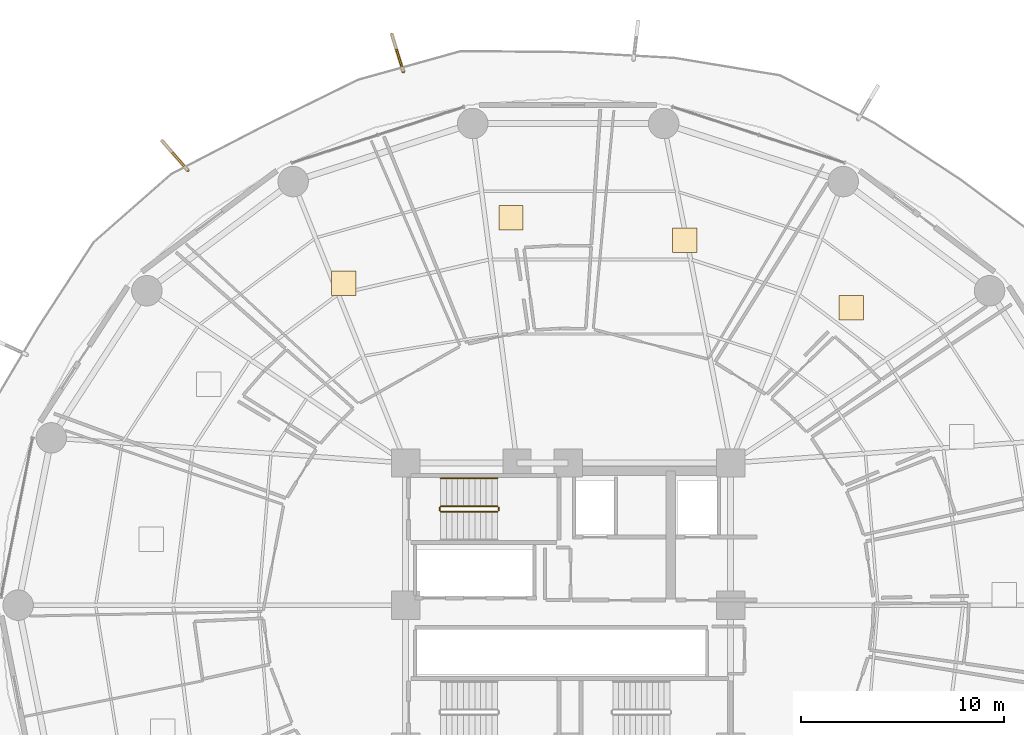
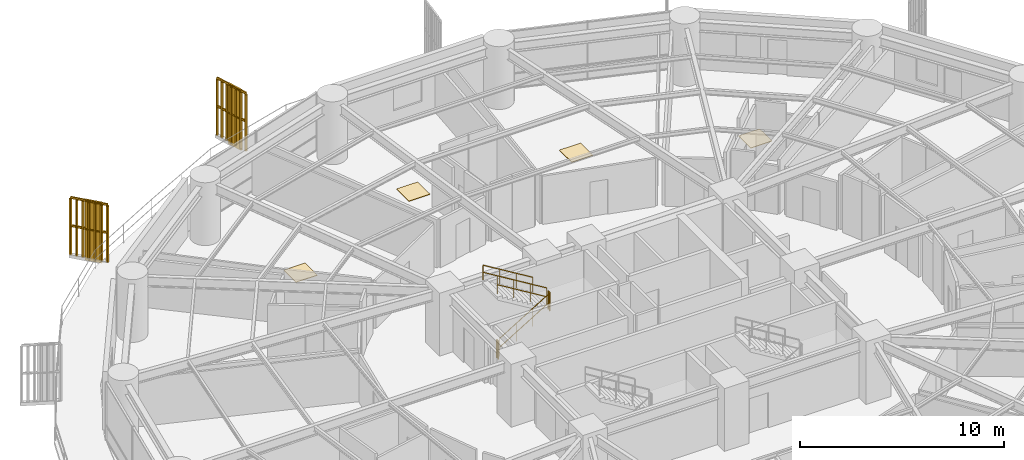
# One storey, part 33 of 34: 7 railings, 4 coverings, 2 shading devices.
"""IFC4 building model written with IfcOpenShell, lengths in metres."""

from ifc_helpers import new_model, si_unit, direction, frame, origin, origin_2d, place, context, subcontext, project, spatial, polyline, rectangle, outline, extrude, source, transform, mapped, material, layer, layer_set, type_object, element, save


model = new_model("IFC4")

# Units and contexts
model_context = context("Model", 3, precision=1e-05, world=origin(), true_north=direction((0.0, 1.0)))
body_context = subcontext(model_context, "Body", "Model", "MODEL_VIEW")
ifc_project = project(units=[si_unit("LENGTHUNIT", "METRE"), si_unit("AREAUNIT", "SQUARE_METRE"), si_unit("VOLUMEUNIT", "CUBIC_METRE"), si_unit("PLANEANGLEUNIT", "RADIAN"), si_unit("MASSUNIT", "GRAM", prefix="KILO")], contexts=[model_context])

# Site, building, storey
site_placement = place(None, origin())
site = spatial("IfcSite", under=ifc_project, at=site_placement, CompositionType="ELEMENT")
building_placement = place(site_placement, origin())
building = spatial("IfcBuilding", under=site, at=building_placement, Name="Kelanora Arch Commons", CompositionType="ELEMENT")
storey_placement = place(building_placement, frame((0.0, 0.0, 33.75)))
storey = spatial("IfcBuildingStorey", under=building, at=storey_placement, Name="L08", CompositionType="ELEMENT", Elevation=33.75)

# Railings
ifc_material_1 = material(Name="Anodised bronze vertical shading fin rib assembly")
railing_type_1 = type_object("IfcRailingType", Name="RAIL-FIN-BRZ", PredefinedType="BALUSTRADE", material=ifc_material_1)
railing_1_placement = place(storey_placement, frame((65.884521484375, 84.259521484375, -0.02001953125)))
element("IfcRailing", 1, at=railing_1_placement, inside=storey, type_object=railing_type_1, Name="Sweeping Bronze Vertical Fin Blade L08-04", PredefinedType="BALUSTRADE", context=body_context, shape_type="SweptSolid", body=[
    extrude(outline(polyline([(0.06982421875, 0.0), (0.034912109375, 0.060546875), (-0.034912109375, 0.060546875), (-0.06982421875, 0.0), (-0.034912109375, -0.060546875), (0.034912109375, -0.060546875), (0.06982421875, 0.0)])), frame((0.0, 0.0, 3.419921875), z_axis=(-0.2953738853, 0.95538173935, 0.0), x_axis=(-0.95538173935, -0.2953738853, 0.0)), (0.0, 0.0, 1.0), 1.91748046875),
    extrude(outline(polyline([(0.06982421875, 0.0), (0.034912109375, 0.060546875), (-0.034912109375, 0.060546875), (-0.06982421875, 0.0), (-0.034912109375, -0.060546875), (0.034912109375, -0.060546875), (0.06982421875, 0.0)])), frame((0.0, 0.0, 1.7451171875), z_axis=(-0.2953738853, 0.95538173935, 0.0), x_axis=(-0.95538173935, -0.2953738853, 0.0)), (0.0, 0.0, 1.0), 1.91748046875),
    extrude(outline(polyline([(0.080078125, 0.0), (0.0400390625, 0.0693359375), (-0.0400390625, 0.0693359375), (-0.080078125, 0.0), (-0.0400390625, -0.0693359375), (0.0400390625, -0.0693359375), (0.080078125, 0.0)])), origin(), (0.0, 0.0, 1.0), 3.35009765625),
    extrude(outline(polyline([(0.080078125, 0.0), (0.0400390625, 0.0693359375), (-0.0400390625, 0.0693359375), (-0.080078125, 0.0), (-0.0400390625, -0.0693359375), (0.0400390625, -0.0693359375), (0.080078125, 0.0)])), frame((-0.094482421875, 0.305419921875, 0.0)), (0.0, 0.0, 1.0), 3.35009765625),
    extrude(outline(polyline([(0.080078125, 0.0), (0.0400390625, 0.0693359375), (-0.0400390625, 0.0693359375), (-0.080078125, 0.0), (-0.0400390625, -0.0693359375), (0.0400390625, -0.0693359375), (0.080078125, 0.0)])), frame((-0.188720703125, 0.610595703125, 0.0)), (0.0, 0.0, 1.0), 3.35009765625),
    extrude(outline(polyline([(0.080078125, 0.0), (0.0400390625, 0.0693359375), (-0.0400390625, 0.0693359375), (-0.080078125, 0.0), (-0.0400390625, -0.0693359375), (0.0400390625, -0.0693359375), (0.080078125, 0.0)])), frame((-0.283203125, 0.916015625, 0.0)), (0.0, 0.0, 1.0), 3.35009765625),
    extrude(outline(polyline([(0.080078125, 0.0), (0.0400390625, 0.0693359375), (-0.0400390625, 0.0693359375), (-0.080078125, 0.0), (-0.0400390625, -0.0693359375), (0.0400390625, -0.0693359375), (0.080078125, 0.0)])), frame((-0.377685546875, 1.221435546875, 0.0)), (0.0, 0.0, 1.0), 3.35009765625),
    extrude(outline(polyline([(0.080078125, 0.0), (0.0400390625, 0.0693359375), (-0.0400390625, 0.0693359375), (-0.080078125, 0.0), (-0.0400390625, -0.0693359375), (0.0400390625, -0.0693359375), (0.080078125, 0.0)])), frame((-0.471923828125, 1.526611328125, 0.0)), (0.0, 0.0, 1.0), 3.35009765625),
    extrude(outline(polyline([(0.080078125, 0.0), (0.0400390625, 0.0693359375), (-0.0400390625, 0.0693359375), (-0.080078125, 0.0), (-0.0400390625, -0.0693359375), (0.0400390625, -0.0693359375), (0.080078125, 0.0)])), frame((-0.56640625, 1.83203125, 0.0)), (0.0, 0.0, 1.0), 3.35009765625),
])
railing_2_placement = place(storey_placement, frame((55.274658203125, 79.409423828125, -0.02001953125)))
element("IfcRailing", 2, at=railing_2_placement, inside=storey, type_object=railing_type_1, Name="Sweeping Bronze Vertical Fin Blade L08-05", PredefinedType="BALUSTRADE", context=body_context, shape_type="SweptSolid", body=[
    extrude(outline(polyline([(0.06982421875, 0.0), (0.034912109375, 0.060546875), (-0.034912109375, 0.060546875), (-0.06982421875, 0.0), (-0.034912109375, -0.060546875), (0.034912109375, -0.060546875), (0.06982421875, 0.0)])), frame((0.0, 0.0, 3.419921875), z_axis=(-0.658360377377, 0.752702871989, 0.0), x_axis=(-0.752702871989, -0.658360377377, 0.0)), (0.0, 0.0, 1.0), 1.91748046875),
    extrude(outline(polyline([(0.06982421875, 0.0), (0.034912109375, 0.060546875), (-0.034912109375, 0.060546875), (-0.06982421875, 0.0), (-0.034912109375, -0.060546875), (0.034912109375, -0.060546875), (0.06982421875, 0.0)])), frame((0.0, 0.0, 1.7451171875), z_axis=(-0.658360377377, 0.752702871989, 0.0), x_axis=(-0.752702871989, -0.658360377377, 0.0)), (0.0, 0.0, 1.0), 1.91748046875),
    extrude(outline(polyline([(0.080078125, 0.0), (0.0400390625, 0.0693359375), (-0.0400390625, 0.0693359375), (-0.080078125, 0.0), (-0.0400390625, -0.0693359375), (0.0400390625, -0.0693359375), (0.080078125, 0.0)])), origin(), (0.0, 0.0, 1.0), 3.35009765625),
    extrude(outline(polyline([(0.080078125, 0.0), (0.0400390625, 0.0693359375), (-0.0400390625, 0.0693359375), (-0.080078125, 0.0), (-0.0400390625, -0.0693359375), (0.0400390625, -0.0693359375), (0.080078125, 0.0)])), frame((-0.21044921875, 0.240478515625, 0.0)), (0.0, 0.0, 1.0), 3.35009765625),
    extrude(outline(polyline([(0.080078125, 0.0), (0.0400390625, 0.0693359375), (-0.0400390625, 0.0693359375), (-0.080078125, 0.0), (-0.0400390625, -0.0693359375), (0.0400390625, -0.0693359375), (0.080078125, 0.0)])), frame((-0.4208984375, 0.481201171875, 0.0)), (0.0, 0.0, 1.0), 3.35009765625),
    extrude(outline(polyline([(0.080078125, 0.0), (0.0400390625, 0.0693359375), (-0.0400390625, 0.0693359375), (-0.080078125, 0.0), (-0.0400390625, -0.0693359375), (0.0400390625, -0.0693359375), (0.080078125, 0.0)])), frame((-0.63134765625, 0.7216796875, 0.0)), (0.0, 0.0, 1.0), 3.35009765625),
    extrude(outline(polyline([(0.080078125, 0.0), (0.0400390625, 0.0693359375), (-0.0400390625, 0.0693359375), (-0.080078125, 0.0), (-0.0400390625, -0.0693359375), (0.0400390625, -0.0693359375), (0.080078125, 0.0)])), frame((-0.841552734375, 0.962158203125, 0.0)), (0.0, 0.0, 1.0), 3.35009765625),
    extrude(outline(polyline([(0.080078125, 0.0), (0.0400390625, 0.0693359375), (-0.0400390625, 0.0693359375), (-0.080078125, 0.0), (-0.0400390625, -0.0693359375), (0.0400390625, -0.0693359375), (0.080078125, 0.0)])), frame((-1.052001953125, 1.202880859375, 0.0)), (0.0, 0.0, 1.0), 3.35009765625),
    extrude(outline(polyline([(0.080078125, 0.0), (0.0400390625, 0.0693359375), (-0.0400390625, 0.0693359375), (-0.080078125, 0.0), (-0.0400390625, -0.0693359375), (0.0400390625, -0.0693359375), (0.080078125, 0.0)])), frame((-1.262451171875, 1.443359375, 0.0)), (0.0, 0.0, 1.0), 3.35009765625),
])
ifc_material_2 = material(Name="Painted steel stair well guard", Category="steel")
railing_type_2 = type_object("IfcRailingType", Name="RAIL-STAIR-GRD", PredefinedType="GUARDRAIL", material=ifc_material_2)
railing_3_placement = place(storey_placement, frame((67.719970703125, 62.610107421875, 0.17041015625)))
element("IfcRailing", 3, at=railing_3_placement, inside=storey, type_object=railing_type_2, Name="L08 ST-T1 stair guard 1", PredefinedType="GUARDRAIL", context=body_context, shape_type="SweptSolid", body=[
    extrude(outline(polyline([(0.02392578125, 0.0), (0.011962890625, 0.020751953125), (-0.011962890625, 0.020751953125), (-0.02392578125, 0.0), (-0.011962890625, -0.020751953125), (0.011962890625, -0.020751953125), (0.02392578125, 0.0)])), frame((0.0, 0.0, 1.076171875), z_axis=(0.854169791009, 0.0, 0.51999420009), x_axis=(0.0, 1.0, 0.0)), (0.0, 0.0, 1.0), 3.278076171875),
    extrude(outline(polyline([(0.02392578125, 0.0), (0.011962890625, 0.020751953125), (-0.011962890625, 0.020751953125), (-0.02392578125, 0.0), (-0.011962890625, -0.020751953125), (0.011962890625, -0.020751953125), (0.02392578125, 0.0)])), frame((0.0, 0.0, 0.550048828125), z_axis=(0.854169791009, 0.0, 0.51999420009), x_axis=(0.0, 1.0, 0.0)), (0.0, 0.0, 1.0), 3.278076171875),
    extrude(outline(polyline([(0.02099609375, 0.0), (0.010498046875, 0.01806640625), (-0.010498046875, 0.01806640625), (-0.02099609375, 0.0), (-0.010498046875, -0.01806640625), (0.010498046875, -0.01806640625), (0.02099609375, 0.0)])), origin(), (0.0, 0.0, 1.0), 1.052001953125),
    extrude(outline(polyline([(0.02099609375, 0.0), (0.010498046875, 0.01806640625), (-0.010498046875, 0.01806640625), (-0.02099609375, 0.0), (-0.010498046875, -0.01806640625), (0.010498046875, -0.01806640625), (0.02099609375, 0.0)])), frame((0.933349609375, 0.0, 0.568115234375)), (0.0, 0.0, 1.0), 1.052001953125),
    extrude(outline(polyline([(0.02099609375, 0.0), (0.010498046875, 0.01806640625), (-0.010498046875, 0.01806640625), (-0.02099609375, 0.0), (-0.010498046875, -0.01806640625), (0.010498046875, -0.01806640625), (0.02099609375, 0.0)])), frame((1.86669921875, 0.0, 1.136474609375)), (0.0, 0.0, 1.0), 1.052001953125),
    extrude(outline(polyline([(0.02099609375, 0.0), (0.010498046875, 0.01806640625), (-0.010498046875, 0.01806640625), (-0.02099609375, 0.0), (-0.010498046875, -0.01806640625), (0.010498046875, -0.01806640625), (0.02099609375, 0.0)])), frame((2.800048828125, 0.0, 1.70458984375)), (0.0, 0.0, 1.0), 1.052001953125),
])
railing_4_placement = place(storey_placement, frame((70.570068359375, 62.659912109375, 1.875)))
element("IfcRailing", 4, at=railing_4_placement, inside=storey, type_object=railing_type_2, Name="L08 ST-T1 stair guard 2", PredefinedType="GUARDRAIL", context=body_context, shape_type="SweptSolid", body=[
    extrude(outline(polyline([(0.02392578125, 0.0), (0.011962890625, 0.020751953125), (-0.011962890625, 0.020751953125), (-0.02392578125, 0.0), (-0.011962890625, -0.020751953125), (0.011962890625, -0.020751953125), (0.02392578125, 0.0)])), frame((0.0, 0.0, 1.076171875), z_axis=(0.0, 1.0, 0.0), x_axis=(-1.0, 0.0, 0.0)), (0.0, 0.0, 1.0), 0.150146484375),
    extrude(outline(polyline([(0.02392578125, 0.0), (0.011962890625, 0.020751953125), (-0.011962890625, 0.020751953125), (-0.02392578125, 0.0), (-0.011962890625, -0.020751953125), (0.011962890625, -0.020751953125), (0.02392578125, 0.0)])), frame((0.0, 0.0, 0.550048828125), z_axis=(0.0, 1.0, 0.0), x_axis=(-1.0, 0.0, 0.0)), (0.0, 0.0, 1.0), 0.150146484375),
    extrude(outline(polyline([(0.02099609375, 0.0), (0.010498046875, 0.01806640625), (-0.010498046875, 0.01806640625), (-0.02099609375, 0.0), (-0.010498046875, -0.01806640625), (0.010498046875, -0.01806640625), (0.02099609375, 0.0)])), origin(), (0.0, 0.0, 1.0), 1.052001953125),
    extrude(outline(polyline([(0.02099609375, 0.0), (0.010498046875, 0.01806640625), (-0.010498046875, 0.01806640625), (-0.02099609375, 0.0), (-0.010498046875, -0.01806640625), (0.010498046875, -0.01806640625), (0.02099609375, 0.0)])), frame((0.0, 0.150146484375, 0.0)), (0.0, 0.0, 1.0), 1.052001953125),
])
railing_5_placement = place(storey_placement, frame((70.52001953125, 62.860107421875, 2.04541015625)))
element("IfcRailing", 5, at=railing_5_placement, inside=storey, type_object=railing_type_2, Name="L08 ST-T1 stair guard 3", PredefinedType="GUARDRAIL", context=body_context, shape_type="SweptSolid", body=[
    extrude(outline(polyline([(0.02392578125, 0.0), (0.011962890625, 0.020751953125), (-0.011962890625, 0.020751953125), (-0.02392578125, 0.0), (-0.011962890625, -0.020751953125), (0.011962890625, -0.020751953125), (0.02392578125, 0.0)])), frame((0.0, 0.0, 1.076171875), z_axis=(-0.854169791009, 0.0, 0.51999420009), x_axis=(0.0, -1.0, 0.0)), (0.0, 0.0, 1.0), 3.278076171875),
    extrude(outline(polyline([(0.02392578125, 0.0), (0.011962890625, 0.020751953125), (-0.011962890625, 0.020751953125), (-0.02392578125, 0.0), (-0.011962890625, -0.020751953125), (0.011962890625, -0.020751953125), (0.02392578125, 0.0)])), frame((0.0, 0.0, 0.550048828125), z_axis=(-0.854169791009, 0.0, 0.51999420009), x_axis=(0.0, -1.0, 0.0)), (0.0, 0.0, 1.0), 3.278076171875),
    extrude(outline(polyline([(0.02099609375, 0.0), (0.010498046875, 0.01806640625), (-0.010498046875, 0.01806640625), (-0.02099609375, 0.0), (-0.010498046875, -0.01806640625), (0.010498046875, -0.01806640625), (0.02099609375, 0.0)])), origin(), (0.0, 0.0, 1.0), 1.052001953125),
    extrude(outline(polyline([(0.02099609375, 0.0), (0.010498046875, 0.01806640625), (-0.010498046875, 0.01806640625), (-0.02099609375, 0.0), (-0.010498046875, -0.01806640625), (0.010498046875, -0.01806640625), (0.02099609375, 0.0)])), frame((-0.933349609375, 0.0, 0.568115234375)), (0.0, 0.0, 1.0), 1.052001953125),
    extrude(outline(polyline([(0.02099609375, 0.0), (0.010498046875, 0.01806640625), (-0.010498046875, 0.01806640625), (-0.02099609375, 0.0), (-0.010498046875, -0.01806640625), (0.010498046875, -0.01806640625), (0.02099609375, 0.0)])), frame((-1.86669921875, 0.0, 1.136474609375)), (0.0, 0.0, 1.0), 1.052001953125),
    extrude(outline(polyline([(0.02099609375, 0.0), (0.010498046875, 0.01806640625), (-0.010498046875, 0.01806640625), (-0.02099609375, 0.0), (-0.010498046875, -0.01806640625), (0.010498046875, -0.01806640625), (0.02099609375, 0.0)])), frame((-2.800048828125, 0.0, 1.70458984375)), (0.0, 0.0, 1.0), 1.052001953125),
])
railing_6_placement = place(storey_placement, frame((67.669921875, 62.659912109375, 0.0)))
element("IfcRailing", 6, at=railing_6_placement, inside=storey, type_object=railing_type_2, Name="L08 ST-T1 stair guard 4", PredefinedType="GUARDRAIL", context=body_context, shape_type="SweptSolid", body=[
    extrude(outline(polyline([(0.02392578125, 0.0), (0.011962890625, 0.020751953125), (-0.011962890625, 0.020751953125), (-0.02392578125, 0.0), (-0.011962890625, -0.020751953125), (0.011962890625, -0.020751953125), (0.02392578125, 0.0)])), frame((0.0, 0.0, 1.076171875), z_axis=(0.0, 1.0, 0.0), x_axis=(-1.0, 0.0, 0.0)), (0.0, 0.0, 1.0), 0.150146484375),
    extrude(outline(polyline([(0.02392578125, 0.0), (0.011962890625, 0.020751953125), (-0.011962890625, 0.020751953125), (-0.02392578125, 0.0), (-0.011962890625, -0.020751953125), (0.011962890625, -0.020751953125), (0.02392578125, 0.0)])), frame((0.0, 0.0, 0.550048828125), z_axis=(0.0, 1.0, 0.0), x_axis=(-1.0, 0.0, 0.0)), (0.0, 0.0, 1.0), 0.150146484375),
    extrude(outline(polyline([(0.02099609375, 0.0), (0.010498046875, 0.01806640625), (-0.010498046875, 0.01806640625), (-0.02099609375, 0.0), (-0.010498046875, -0.01806640625), (0.010498046875, -0.01806640625), (0.02099609375, 0.0)])), origin(), (0.0, 0.0, 1.0), 1.052001953125),
    extrude(outline(polyline([(0.02099609375, 0.0), (0.010498046875, 0.01806640625), (-0.010498046875, 0.01806640625), (-0.02099609375, 0.0), (-0.010498046875, -0.01806640625), (0.010498046875, -0.01806640625), (0.02099609375, 0.0)])), frame((0.0, 0.150146484375, 0.0)), (0.0, 0.0, 1.0), 1.052001953125),
])
ifc_material_3 = material(Name="Brushed stainless steel stair handrail", Category="steel")
railing_type_3 = type_object("IfcRailingType", Name="RAIL-STAIR-HND", PredefinedType="HANDRAIL", material=ifc_material_3)
railing_7_placement = place(storey_placement, frame((70.52001953125, 64.239990234375, 2.04541015625)))
element("IfcRailing", 7, at=railing_7_placement, inside=storey, type_object=railing_type_3, Name="L08 ST-T1 stair handrail 2", PredefinedType="HANDRAIL", context=body_context, shape_type="SweptSolid", body=[
    extrude(outline(polyline([(0.02392578125, 0.0), (0.011962890625, 0.020751953125), (-0.011962890625, 0.020751953125), (-0.02392578125, 0.0), (-0.011962890625, -0.020751953125), (0.011962890625, -0.020751953125), (0.02392578125, 0.0)])), frame((0.0, 0.0, 0.8759765625), z_axis=(-0.854169791009, 0.0, 0.51999420009), x_axis=(0.0, -1.0, 0.0)), (0.0, 0.0, 1.0), 3.278076171875),
    extrude(outline(polyline([(0.02392578125, 0.0), (0.011962890625, 0.020751953125), (-0.011962890625, 0.020751953125), (-0.02392578125, 0.0), (-0.011962890625, -0.020751953125), (0.011962890625, -0.020751953125), (0.02392578125, 0.0)])), frame((0.0, 0.0, 0.449951171875), z_axis=(-0.854169791009, 0.0, 0.51999420009), x_axis=(0.0, -1.0, 0.0)), (0.0, 0.0, 1.0), 3.278076171875),
    extrude(outline(polyline([(0.02099609375, 0.0), (0.010498046875, 0.01806640625), (-0.010498046875, 0.01806640625), (-0.02099609375, 0.0), (-0.010498046875, -0.01806640625), (0.010498046875, -0.01806640625), (0.02099609375, 0.0)])), origin(), (0.0, 0.0, 1.0), 0.851806640625),
    extrude(outline(polyline([(0.02099609375, 0.0), (0.010498046875, 0.01806640625), (-0.010498046875, 0.01806640625), (-0.02099609375, 0.0), (-0.010498046875, -0.01806640625), (0.010498046875, -0.01806640625), (0.02099609375, 0.0)])), frame((-0.933349609375, 0.0, 0.568115234375)), (0.0, 0.0, 1.0), 0.851806640625),
    extrude(outline(polyline([(0.02099609375, 0.0), (0.010498046875, 0.01806640625), (-0.010498046875, 0.01806640625), (-0.02099609375, 0.0), (-0.010498046875, -0.01806640625), (0.010498046875, -0.01806640625), (0.02099609375, 0.0)])), frame((-1.86669921875, 0.0, 1.136474609375)), (0.0, 0.0, 1.0), 0.851806640625),
    extrude(outline(polyline([(0.02099609375, 0.0), (0.010498046875, 0.01806640625), (-0.010498046875, 0.01806640625), (-0.02099609375, 0.0), (-0.010498046875, -0.01806640625), (0.010498046875, -0.01806640625), (0.02099609375, 0.0)])), frame((-2.800048828125, 0.0, 1.70458984375)), (0.0, 0.0, 1.0), 0.851806640625),
])

# Shading devices
ifc_material_4 = material(Name="Terracotta ceramic-clad extruded aluminium fin", Category="masonry")
shading_device_type = type_object("IfcShadingDeviceType", Name="SHD-FIN-FLARE", PredefinedType="USERDEFINED", material=ifc_material_4)
shared_shape_1 = source(origin(), body_context, "Body", "SweptSolid", [
    extrude(rectangle(XDim=0.8798828125, YDim=0.090087890625, at=origin_2d()), origin(), (0.0, 0.0, 1.0), 3.610107421875),
])
for number, where, z_axis, x_axis, name in (
    (8, (65.671875, 84.947509765625, -0.14013671875), (0.0, 0.0, 1.0), (-0.295207826951, 0.955433063541, 0.0), "Sweeping Terracotta Fin L08-04"),
    (9, (54.80078125, 79.951416015625, -0.14013671875), (0.0, 0.0, 1.0), (-0.65829540632, 0.752759694735, 0.0), "Sweeping Terracotta Fin L08-05"),
):
    element("IfcShadingDevice", number, at=place(storey_placement, frame(where, z_axis=z_axis, x_axis=x_axis)), inside=storey, type_object=shading_device_type, Name=name, ObjectType="FIN", PredefinedType="USERDEFINED", context=body_context, shape_type="MappedRepresentation", body=[
        mapped(shared_shape_1, transform((0.0, 0.0, 0.0), scale=1.0)),
    ])

# Coverings
ifc_material_5 = material(Name="Polished local granite terrazzo flooring", Category="masonry")
ifc_layer = layer(ifc_material_5, 0.030029296875)
ifc_layer_set = layer_set([ifc_layer], Name="Polished local granite terrazzo flooring")
covering_type = type_object("IfcCoveringType", Name="COV-FLR-TER", PredefinedType="FLOORING", material=ifc_layer_set)
shared_shape_2 = source(origin(), body_context, "Body", "SweptSolid", [
    extrude(rectangle(XDim=1.199951171875, YDim=1.199951171875, at=origin_2d()), origin(), (0.0, 0.0, 1.0), 0.030029296875),
])
for number, where, z_axis, x_axis, name in (
    (10, (87.934814453125, 72.635498046875, 0.0), (0.0, 0.0, 1.0), (1.0, 0.0, 0.0), "Co-Living Studio L08-02 Terrazzo Finish"),
    (11, (79.74560546875, 75.961669921875, 0.0), (0.0, 0.0, 1.0), (1.0, 0.0, 0.0), "Communal Dining and Social Hall L08-03 Terrazzo Finish"),
    (12, (71.18701171875, 77.069580078125, 0.0), (0.0, 0.0, 1.0), (1.0, 0.0, 0.0), "Co-Living Studio L08-04 Terrazzo Finish"),
    (13, (62.955078125, 73.846435546875, 0.0), (0.0, 0.0, 1.0), (1.0, 0.0, 0.0), "Social Sky Lounge L08-05 Terrazzo Finish"),
):
    element("IfcCovering", number, at=place(storey_placement, frame(where, z_axis=z_axis, x_axis=x_axis)), inside=storey, type_object=covering_type, Name=name, PredefinedType="FLOORING", context=body_context, shape_type="MappedRepresentation", body=[
        mapped(shared_shape_2, transform((0.0, 0.0, 0.0), scale=1.0)),
    ])

save(model, "model.ifc")
